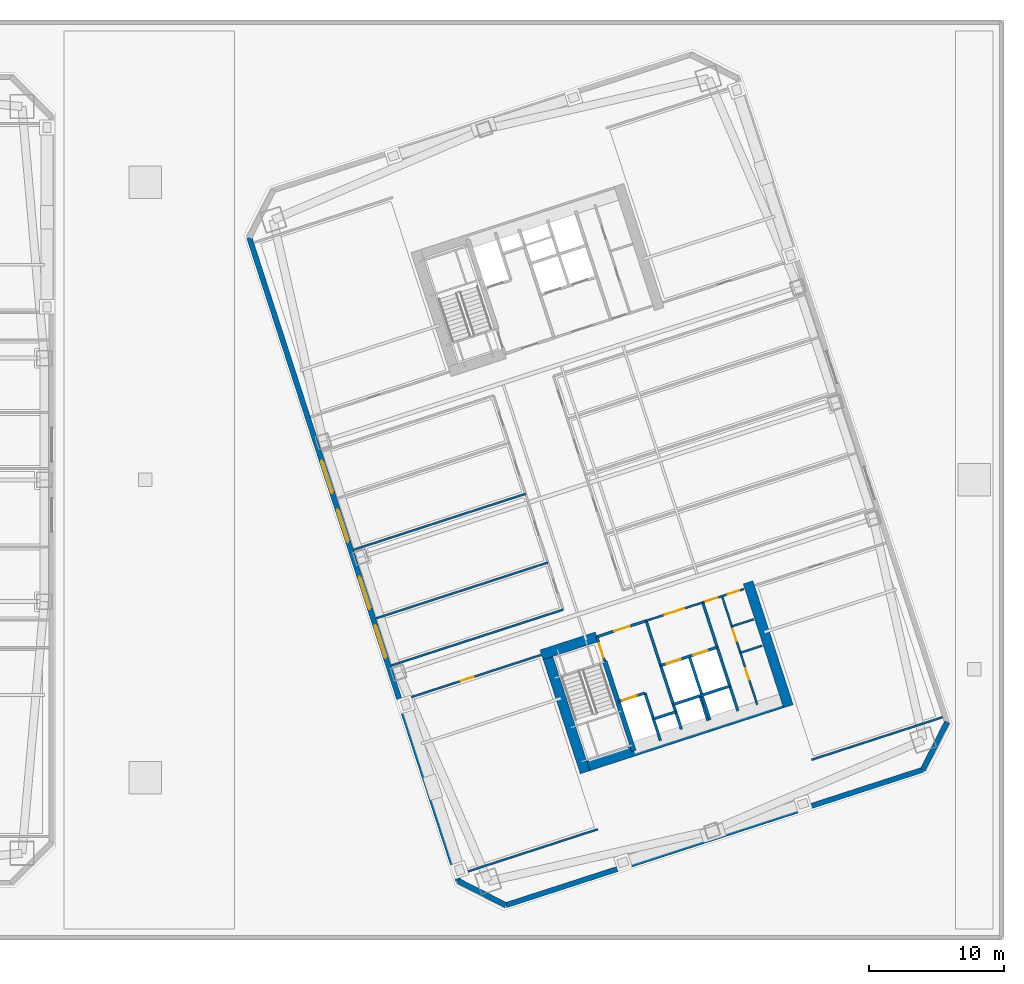
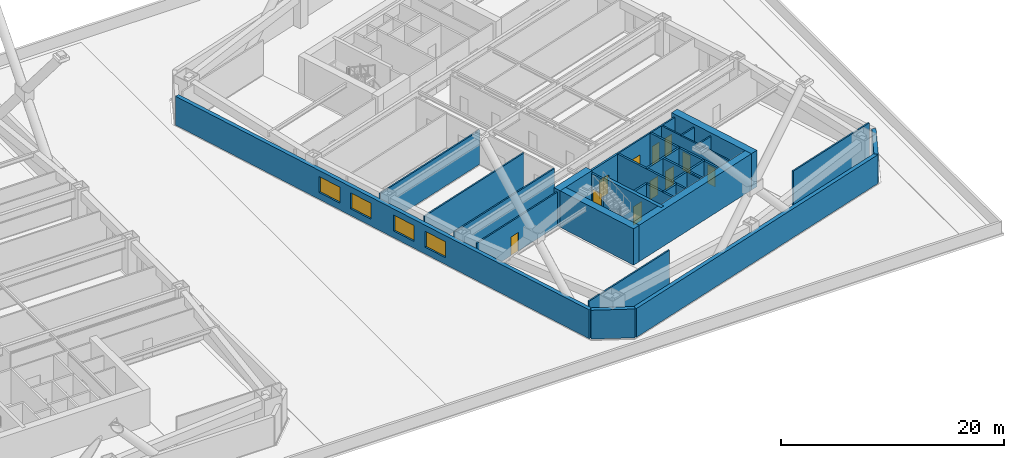
# One storey, part 9 of 20: 31 walls, 11 doors, 4 windows, 15 openings.
"""IFC4 building model written with IfcOpenShell, lengths in metres."""

from ifc_helpers import new_model, si_unit, direction, frame, frame_2d, origin, place, context, subcontext, project, spatial, rectangle, extrude, material, layer, layer_set, type_object, element, fill, save


model = new_model("IFC4")

# Units and contexts
model_context = context("Model", 3, precision=1e-05, world=origin(), true_north=direction((0.0, 1.0)))
body_context = subcontext(model_context, "Body", "Model", "MODEL_VIEW")
ifc_project = project(units=[si_unit("LENGTHUNIT", "METRE"), si_unit("AREAUNIT", "SQUARE_METRE"), si_unit("VOLUMEUNIT", "CUBIC_METRE"), si_unit("PLANEANGLEUNIT", "RADIAN"), si_unit("MASSUNIT", "GRAM", prefix="KILO")], contexts=[model_context])

# Site, building, storey
site_placement = place(None, origin())
site = spatial("IfcSite", under=ifc_project, at=site_placement, CompositionType="ELEMENT")
building_placement = place(site_placement, origin())
building = spatial("IfcBuilding", under=site, at=building_placement, Name="Qiaolan Cultural Towers", CompositionType="ELEMENT")
storey_placement = place(building_placement, frame((0.0, 0.0, 26.0)))
storey = spatial("IfcBuildingStorey", under=building, at=storey_placement, Name="L05", CompositionType="ELEMENT", Elevation=26.0)

# Walls
ifc_material_1 = material(Name="Concrete C50", Category="concrete")
ifc_layer_1 = layer(ifc_material_1, 0.35009765625)
ifc_layer_set_1 = layer_set([ifc_layer_1], Name="Concrete C50")
wall_type_1 = type_object("IfcWallType", Name="WL-CORE-350", PredefinedType="SHEAR", material=ifc_layer_set_1)
wall_1_placement = place(storey_placement, frame((90.486328125, 20.59423828125, 0.0), z_axis=(0.0, 0.0, 1.0), x_axis=(0.309020428229, -0.951055400562, 0.0)))
element("IfcWall", 1, at=wall_1_placement, inside=storey, type_object=wall_type_1, Name="L05 T2-CS Stair Core Dividing Web", PredefinedType="SHEAR", context=body_context, shape_type="SweptSolid", body=[
    extrude(rectangle(XDim=6.97998046875, YDim=0.35009765625, at=frame_2d((3.489990234375, 0.0))), origin(), (0.0, 0.0, 1.0), 4.0),
])
ifc_material_2 = material(Name="Concrete C60", Category="concrete")
ifc_layer_2 = layer(ifc_material_2, 0.75)
ifc_layer_set_2 = layer_set([ifc_layer_2], Name="Concrete C60")
wall_type_2 = type_object("IfcWallType", Name="WL-CORE-750", PredefinedType="SHEAR", material=ifc_layer_set_2)
wall_2_placement = place(storey_placement, frame((88.55859375, 12.628662109375, 0.0), z_axis=(0.0, 0.0, 1.0), x_axis=(0.951056072937, 0.309018358888, 0.0)))
element("IfcWall", 2, at=wall_2_placement, inside=storey, type_object=wall_type_2, Name="L05 T2-CS Outer Core Shear Wall", PredefinedType="SHEAR", context=body_context, shape_type="SweptSolid", body=[
    extrude(rectangle(XDim=16.550048828125, YDim=0.75, at=frame_2d((8.27490234375, 0.0))), origin(), (0.0, 0.0, 1.0), 4.0),
])
wall_3_placement = place(storey_placement, frame((86.05517578125, 21.54638671875, 0.0), z_axis=(0.0, 0.0, 1.0), x_axis=(0.309023585745, -0.951054374604, 0.0)))
element("IfcWall", 3, at=wall_3_placement, inside=storey, type_object=wall_type_2, Name="L05 T2-CS West Core Shear Wall", PredefinedType="SHEAR", context=body_context, shape_type="SweptSolid", body=[
    extrude(rectangle(XDim=9.6298828125, YDim=0.75, at=frame_2d((4.81494140625, 0.0))), origin(), (0.0, 0.0, 1.0), 4.0),
])
wall_4_placement = place(storey_placement, frame((101.08203125, 26.428955078125, 0.0), z_axis=(0.0, 0.0, 1.0), x_axis=(0.309016134813, -0.951056795583, 0.0)))
element("IfcWall", 4, at=wall_4_placement, inside=storey, type_object=wall_type_2, Name="L05 T2-CS East Core Shear Wall", PredefinedType="SHEAR", context=body_context, shape_type="SweptSolid", body=[
    extrude(rectangle(XDim=9.630126953125, YDim=0.75, at=frame_2d((4.81494140625, 0.0))), origin(), (0.0, 0.0, 1.0), 4.0),
])
wall_5_placement = place(storey_placement, frame((85.814453125, 21.073974609375, 0.0), z_axis=(0.0, 0.0, 1.0), x_axis=(0.95106580992, 0.308988390074, 0.0)))
element("IfcWall", 5, at=wall_5_placement, inside=storey, type_object=wall_type_2, Name="L05 T2-CS Stair Front Shear Wall", PredefinedType="SHEAR", context=body_context, shape_type="SweptSolid", body=[
    extrude(rectangle(XDim=4.295166015625, YDim=0.75, at=frame_2d((2.1474609375, 0.0))), origin(), (0.0, 0.0, 1.0), 4.0),
])

# Wall, openings, windows
ifc_material_3 = material(Name="Precast Concrete C50 Honed Stone Pier", Category="masonry")
ifc_layer_3 = layer(ifc_material_3, 0.39990234375)
ifc_layer_set_3 = layer_set([ifc_layer_3], Name="Precast Concrete C50 Honed Stone Pier")
wall_type_3 = type_object("IfcWallType", Name="WL-EXT-PIER-400", PredefinedType="SOLIDWALL", material=ifc_layer_set_3)
wall_6_placement = place(storey_placement, frame((79.6552734375, 4.352294921875, 0.0), z_axis=(0.0, 0.0, 1.0), x_axis=(-0.309014526607, 0.951057318118, 0.0)))
wall_6 = element("IfcWall", 6, at=wall_6_placement, inside=storey, type_object=wall_type_3, Name="L05 East Tower Precast Pier Facade Wall F1", PredefinedType="SOLIDWALL", context=body_context, shape_type="SweptSolid", body=[
    extrude(rectangle(XDim=49.999755859375, YDim=0.39990234375, at=frame_2d((25.0, 0.0))), origin(), (0.0, 0.0, 1.0), 3.159912109375),
])
opening_1_placement = place(wall_6_placement, frame((17.35009765625, 0.0, 0.75)))
opening_1 = element("IfcOpeningElement", 7, at=opening_1_placement, cuts=wall_6, Name="Opening W-01", PredefinedType="OPENING", context=body_context, shape_type="SweptSolid", body=[
    extrude(rectangle(XDim=2.5, YDim=1.75, at=frame_2d((1.25, 0.875))), frame((0.0, 0.2099609375, 0.0), z_axis=(0.0, -1.0, 0.0), x_axis=(1.0, 0.0, 0.0)), (0.0, 0.0, 1.0), 0.419921875),
])
opening_2_placement = place(wall_6_placement, frame((21.14990234375, 0.0, 0.75)))
opening_2 = element("IfcOpeningElement", 8, at=opening_2_placement, cuts=wall_6, Name="Opening W-01", PredefinedType="OPENING", context=body_context, shape_type="SweptSolid", body=[
    extrude(rectangle(XDim=2.5, YDim=1.75, at=frame_2d((1.25, 0.875))), frame((0.0, 0.2099609375, 0.0), z_axis=(0.0, -1.0, 0.0), x_axis=(1.0, 0.0, 0.0)), (0.0, 0.0, 1.0), 0.419921875),
])
opening_3_placement = place(wall_6_placement, frame((26.35009765625, 0.0, 0.75)))
opening_3 = element("IfcOpeningElement", 9, at=opening_3_placement, cuts=wall_6, Name="Opening W-01", PredefinedType="OPENING", context=body_context, shape_type="SweptSolid", body=[
    extrude(rectangle(XDim=2.5, YDim=1.75, at=frame_2d((1.25, 0.875))), frame((0.0, 0.2099609375, 0.0), z_axis=(0.0, -1.0, 0.0), x_axis=(1.0, 0.0, 0.0)), (0.0, 0.0, 1.0), 0.419921875),
])
opening_4_placement = place(wall_6_placement, frame((30.14990234375, 0.0, 0.75)))
opening_4 = element("IfcOpeningElement", 10, at=opening_4_placement, cuts=wall_6, Name="Opening W-01", PredefinedType="OPENING", context=body_context, shape_type="SweptSolid", body=[
    extrude(rectangle(XDim=2.5, YDim=1.75, at=frame_2d((1.25, 0.875))), frame((0.0, 0.2099609375, 0.0), z_axis=(0.0, -1.0, 0.0), x_axis=(1.0, 0.0, 0.0)), (0.0, 0.0, 1.0), 0.419921875),
])
ifc_material_4 = material(Name="Thermally Broken Aluminium Triple Low-E Glazing", Category="aluminium")
window_type = type_object("IfcWindowType", Name="WN-CHIC-2500", PartitioningType="SINGLE_PANEL", PredefinedType="WINDOW", material=ifc_material_4)
window_1_placement = place(opening_1_placement, origin())
window_1 = element("IfcWindow", 11, at=window_1_placement, inside=storey, type_object=window_type, Name="L05 T2 W Chicago Bay Window 1", OverallHeight=1.75, OverallWidth=2.5, PartitioningType="TRIPLE_PANEL_VERTICAL", PredefinedType="WINDOW", context=body_context, shape_type="SweptSolid", body=[
    extrude(rectangle(XDim=2.5, YDim=1.75, at=frame_2d((1.25, 0.875))), frame((0.0, 0.030029296875, 0.0), z_axis=(0.0, -1.0, 0.0), x_axis=(1.0, 0.0, 0.0)), (0.0, 0.0, 1.0), 0.06005859375),
])
fill(opening_1, window_1)
window_2_placement = place(opening_2_placement, origin())
window_2 = element("IfcWindow", 12, at=window_2_placement, inside=storey, type_object=window_type, Name="L05 T2 W Chicago Bay Window 2", OverallHeight=1.75, OverallWidth=2.5, PartitioningType="TRIPLE_PANEL_VERTICAL", PredefinedType="WINDOW", context=body_context, shape_type="SweptSolid", body=[
    extrude(rectangle(XDim=2.5, YDim=1.75, at=frame_2d((1.25, 0.875))), frame((0.0, 0.030029296875, 0.0), z_axis=(0.0, -1.0, 0.0), x_axis=(1.0, 0.0, 0.0)), (0.0, 0.0, 1.0), 0.06005859375),
])
fill(opening_2, window_2)
window_3_placement = place(opening_3_placement, origin())
window_3 = element("IfcWindow", 13, at=window_3_placement, inside=storey, type_object=window_type, Name="L05 T2 W Chicago Bay Window 3", OverallHeight=1.75, OverallWidth=2.5, PartitioningType="TRIPLE_PANEL_VERTICAL", PredefinedType="WINDOW", context=body_context, shape_type="SweptSolid", body=[
    extrude(rectangle(XDim=2.5, YDim=1.75, at=frame_2d((1.25, 0.875))), frame((0.0, 0.030029296875, 0.0), z_axis=(0.0, -1.0, 0.0), x_axis=(1.0, 0.0, 0.0)), (0.0, 0.0, 1.0), 0.06005859375),
])
fill(opening_3, window_3)
window_4_placement = place(opening_4_placement, origin())
window_4 = element("IfcWindow", 14, at=window_4_placement, inside=storey, type_object=window_type, Name="L05 T2 W Chicago Bay Window 4", OverallHeight=1.75, OverallWidth=2.5, PartitioningType="TRIPLE_PANEL_VERTICAL", PredefinedType="WINDOW", context=body_context, shape_type="SweptSolid", body=[
    extrude(rectangle(XDim=2.5, YDim=1.75, at=frame_2d((1.25, 0.875))), frame((0.0, 0.030029296875, 0.0), z_axis=(0.0, -1.0, 0.0), x_axis=(1.0, 0.0, 0.0)), (0.0, 0.0, 1.0), 0.06005859375),
])
fill(opening_4, window_4)

# Walls
wall_7_placement = place(storey_placement, frame((115.79541015625, 16.094970703125, 0.0), z_axis=(0.0, 0.0, 1.0), x_axis=(-0.453958106755, -0.891023028497, 0.0)))
element("IfcWall", 15, at=wall_7_placement, inside=storey, type_object=wall_type_3, Name="L05 East Tower Precast Pier Facade Wall F6", PredefinedType="SOLIDWALL", context=body_context, shape_type="SweptSolid", body=[
    extrude(rectangle(XDim=3.9599609375, YDim=0.39990234375, at=frame_2d((1.97998046875, 0.0))), origin(), (0.0, 0.0, 1.0), 3.159912109375),
])
wall_8_placement = place(storey_placement, frame((113.997802734375, 12.566650390625, 0.0), z_axis=(0.0, 0.0, 1.0), x_axis=(-0.951055939317, -0.309018770125, 0.0)))
element("IfcWall", 16, at=wall_8_placement, inside=storey, type_object=wall_type_3, Name="L05 East Tower Precast Pier Facade Wall F7", PredefinedType="SOLIDWALL", context=body_context, shape_type="SweptSolid", body=[
    extrude(rectangle(XDim=32.39990234375, YDim=0.39990234375, at=frame_2d((16.199951171875, 0.0))), origin(), (0.0, 0.0, 1.0), 3.159912109375),
])
wall_9_placement = place(storey_placement, frame((83.18359375, 2.554443359375, 0.0), z_axis=(0.0, 0.0, 1.0), x_axis=(-0.890998089617, 0.454007053137, 0.0)))
element("IfcWall", 17, at=wall_9_placement, inside=storey, type_object=wall_type_3, Name="L05 East Tower Precast Pier Facade Wall F8", PredefinedType="SOLIDWALL", context=body_context, shape_type="SweptSolid", body=[
    extrude(rectangle(XDim=3.9599609375, YDim=0.39990234375, at=frame_2d((1.97998046875, 0.0))), origin(), (0.0, 0.0, 1.0), 3.159912109375),
])

# Wall, opening, door
ifc_material_5 = material(Name="Concrete C35 Fire Wall", Category="concrete")
ifc_layer_4 = layer(ifc_material_5, 0.199951171875)
ifc_layer_set_4 = layer_set([ifc_layer_4], Name="Concrete C35 Fire Wall")
wall_type_4 = type_object("IfcWallType", Name="WL-FIRE-200", PredefinedType="PARTITIONING", material=ifc_layer_set_4)
wall_10_placement = place(storey_placement, frame((89.8994140625, 22.401123046875, 0.0), z_axis=(0.0, 0.0, 1.0), x_axis=(0.308932062672, -0.951084108086, 0.0)))
wall_10 = element("IfcWall", 18, at=wall_10_placement, inside=storey, type_object=wall_type_4, Name="L05 T2-CS Smokeproof Stair Entry Wall", PredefinedType="PARTITIONING", context=body_context, shape_type="SweptSolid", body=[
    extrude(rectangle(XDim=1.89990234375, YDim=0.199951171875, at=frame_2d((0.949951171875, 0.0))), origin(), (0.0, 0.0, 1.0), 3.72509765625),
])
opening_5_placement = place(wall_10_placement, frame((0.52001953125, 0.0, 0.0)))
opening_5 = element("IfcOpeningElement", 19, at=opening_5_placement, cuts=wall_10, Name="Opening FD-04", PredefinedType="OPENING", context=body_context, shape_type="SweptSolid", body=[
    extrude(rectangle(XDim=1.10009765625, YDim=2.050048828125, at=frame_2d((0.550048828125, 1.02490234375))), frame((0.0, 0.10986328125, 0.0), z_axis=(0.0, -1.0, 0.0), x_axis=(1.0, 0.0, 0.0)), (0.0, 0.0, 1.0), 0.219970703125),
])
ifc_material_6 = material(Name="Galvanized Steel Command Fire Door", Category="steel")
door_type_1 = type_object("IfcDoorType", Name="DR-FD90-1100", OperationType="NOTDEFINED", PredefinedType="DOOR", material=ifc_material_6)
door_1_placement = place(opening_5_placement, origin())
door_1 = element("IfcDoor", 20, at=door_1_placement, inside=storey, type_object=door_type_1, Name="L05 ST-E1 Smokeproof Stair Fire Door", OperationType="SINGLE_SWING_LEFT", OverallHeight=2.050048828125, OverallWidth=1.10009765625, PredefinedType="DOOR", context=body_context, shape_type="SweptSolid", body=[
    extrude(rectangle(XDim=1.10009765625, YDim=2.050048828125, at=frame_2d((0.550048828125, 1.02490234375))), frame((0.0, 0.02490234375, 0.0), z_axis=(0.0, -1.0, 0.0), x_axis=(1.0, 0.0, 0.0)), (0.0, 0.0, 1.0), 0.050048828125),
])
fill(opening_5, door_1)

# Wall
wall_11_placement = place(storey_placement, frame((93.541748046875, 23.584716796875, 0.0), z_axis=(0.0, 0.0, 1.0), x_axis=(0.309042196757, -0.951048327176, 0.0)))
element("IfcWall", 21, at=wall_11_placement, inside=storey, type_object=wall_type_4, Name="L05 T2-CS Firefighting Zone Wall", PredefinedType="PARTITIONING", context=body_context, shape_type="SweptSolid", body=[
    extrude(rectangle(XDim=8.429931640625, YDim=0.199951171875, at=frame_2d((4.21484375, 0.0))), origin(), (0.0, 0.0, 1.0), 3.72509765625),
])

# Wall, opening, door
wall_12_placement = place(storey_placement, frame((89.8994140625, 22.401123046875, 0.0), z_axis=(0.0, 0.0, 1.0), x_axis=(0.951046716504, 0.309047153403, 0.0)))
wall_12 = element("IfcWall", 22, at=wall_12_placement, inside=storey, type_object=wall_type_4, Name="L05 T2-CS Firefighting Lobby Front Wall", PredefinedType="PARTITIONING", context=body_context, shape_type="SweptSolid", body=[
    extrude(rectangle(XDim=3.829833984375, YDim=0.199951171875, at=frame_2d((1.9150390625, 0.0))), origin(), (0.0, 0.0, 1.0), 3.72509765625),
])
opening_6_placement = place(wall_12_placement, frame((1.35009765625, 0.0, 0.0)))
opening_6 = element("IfcOpeningElement", 23, at=opening_6_placement, cuts=wall_12, Name="Opening FD-03", PredefinedType="OPENING", context=body_context, shape_type="SweptSolid", body=[
    extrude(rectangle(XDim=1.199951171875, YDim=2.050048828125, at=frame_2d((0.60009765625, 1.02490234375))), frame((0.0, 0.10986328125, 0.0), z_axis=(0.0, -1.0, 0.0), x_axis=(1.0, 0.0, 0.0)), (0.0, 0.0, 1.0), 0.219970703125),
])
ifc_material_7 = material(Name="Galvanized Steel Smokeproof Lobby Fire Door", Category="steel")
door_type_2 = type_object("IfcDoorType", Name="DR-FD90-1200", OperationType="NOTDEFINED", PredefinedType="DOOR", material=ifc_material_7)
door_2_placement = place(opening_6_placement, origin())
door_2 = element("IfcDoor", 24, at=door_2_placement, inside=storey, type_object=door_type_2, Name="L05 FFL-E1 Firefighting Lobby Fire Door", OperationType="SINGLE_SWING_LEFT", OverallHeight=2.050048828125, OverallWidth=1.199951171875, PredefinedType="DOOR", context=body_context, shape_type="SweptSolid", body=[
    extrude(rectangle(XDim=1.199951171875, YDim=2.050048828125, at=frame_2d((0.60009765625, 1.02490234375))), frame((0.0, 0.02490234375, 0.0), z_axis=(0.0, -1.0, 0.0), x_axis=(1.0, 0.0, 0.0)), (0.0, 0.0, 1.0), 0.050048828125),
])
fill(opening_6, door_2)

wall_13_placement = place(storey_placement, frame((91.459716796875, 17.598388671875, 0.0), z_axis=(0.0, 0.0, 1.0), x_axis=(0.951062257173, 0.308999325213, 0.0)))
wall_13 = element("IfcWall", 25, at=wall_13_placement, inside=storey, type_object=wall_type_4, Name="L05 T2-CS Firefighting Shaft Front Wall", PredefinedType="PARTITIONING", context=body_context, shape_type="SweptSolid", body=[
    extrude(rectangle(XDim=2.10009765625, YDim=0.199951171875, at=frame_2d((1.050048828125, 0.0))), origin(), (0.0, 0.0, 1.0), 3.72509765625),
])
opening_7_placement = place(wall_13_placement, frame((0.35009765625, 0.0, 0.0)))
opening_7 = element("IfcOpeningElement", 26, at=opening_7_placement, cuts=wall_13, Name="Opening LD-01", PredefinedType="OPENING", context=body_context, shape_type="SweptSolid", body=[
    extrude(rectangle(XDim=1.10009765625, YDim=2.050048828125, at=frame_2d((0.550048828125, 1.02490234375))), frame((0.0, 0.10986328125, 0.0), z_axis=(0.0, -1.0, 0.0), x_axis=(1.0, 0.0, 0.0)), (0.0, 0.0, 1.0), 0.219970703125),
])
ifc_material_8 = material(Name="Brushed Stainless Steel S30408 Centre-Parting Lift Landing Door", Category="steel")
door_type_3 = type_object("IfcDoorType", Name="DR-LIFT-1100", OperationType="NOTDEFINED", PredefinedType="DOOR", material=ifc_material_8)
door_3_placement = place(opening_7_placement, origin())
door_3 = element("IfcDoor", 27, at=door_3_placement, inside=storey, type_object=door_type_3, Name="L05 FFL-E1 Firefighting Lift Landing Door", OperationType="DOUBLE_DOOR_SLIDING", OverallHeight=2.050048828125, OverallWidth=1.10009765625, PredefinedType="DOOR", context=body_context, shape_type="SweptSolid", body=[
    extrude(rectangle(XDim=1.10009765625, YDim=2.050048828125, at=frame_2d((0.550048828125, 1.02490234375))), frame((0.0, 0.02490234375, 0.0), z_axis=(0.0, -1.0, 0.0), x_axis=(1.0, 0.0, 0.0)), (0.0, 0.0, 1.0), 0.050048828125),
])
fill(opening_7, door_3)

# Walls
wall_14_placement = place(storey_placement, frame((93.45703125, 18.247314453125, 0.0), z_axis=(0.0, 0.0, 1.0), x_axis=(0.3089935693, -0.951064127245, 0.0)))
element("IfcWall", 28, at=wall_14_placement, inside=storey, type_object=wall_type_4, Name="L05 T2-CS Firefighting Hoistway East Wall", PredefinedType="PARTITIONING", context=body_context, shape_type="SweptSolid", body=[
    extrude(rectangle(XDim=3.7001953125, YDim=0.199951171875, at=frame_2d((1.85009765625, 0.0))), origin(), (0.0, 0.0, 1.0), 3.72509765625),
])
wall_15_placement = place(storey_placement, frame((94.08447265625, 16.316650390625, 0.0), z_axis=(0.0, 0.0, 1.0), x_axis=(0.951041328149, 0.309063734775, 0.0)))
element("IfcWall", 29, at=wall_15_placement, inside=storey, type_object=wall_type_4, Name="L05 T2-CS Pressurization Shaft Front Wall", PredefinedType="PARTITIONING", context=body_context, shape_type="SweptSolid", body=[
    extrude(rectangle(XDim=1.72998046875, YDim=0.199951171875, at=frame_2d((0.864990234375, 0.0))), origin(), (0.0, 0.0, 1.0), 3.72509765625),
])
wall_16_placement = place(storey_placement, frame((97.7265625, 24.9443359375, 0.0), z_axis=(0.0, 0.0, 1.0), x_axis=(0.309016001439, -0.951056838919, 0.0)))
element("IfcWall", 30, at=wall_16_placement, inside=storey, type_object=wall_type_4, Name="L05 T2-CS Lift Core East Wall", PredefinedType="PARTITIONING", context=body_context, shape_type="SweptSolid", body=[
    extrude(rectangle(XDim=8.429931640625, YDim=0.199951171875, at=frame_2d((4.21484375, 0.0))), origin(), (0.0, 0.0, 1.0), 3.72509765625),
])

# Wall, openings, doors
wall_17_placement = place(storey_placement, frame((94.6171875, 20.275146484375, 0.0), z_axis=(0.0, 0.0, 1.0), x_axis=(0.951058531764, 0.30901079133, 0.0)))
wall_17 = element("IfcWall", 31, at=wall_17_placement, inside=storey, type_object=wall_type_4, Name="L05 T2-CS Passenger Lift Shaft Front Wall", PredefinedType="PARTITIONING", context=body_context, shape_type="SweptSolid", body=[
    extrude(rectangle(XDim=4.39990234375, YDim=0.199951171875, at=frame_2d((2.199951171875, 0.0))), origin(), (0.0, 0.0, 1.0), 3.72509765625),
])
opening_8_placement = place(wall_17_placement, frame((0.449951171875, 0.0, 0.0)))
opening_8 = element("IfcOpeningElement", 32, at=opening_8_placement, cuts=wall_17, Name="Opening LD-01", PredefinedType="OPENING", context=body_context, shape_type="SweptSolid", body=[
    extrude(rectangle(XDim=1.10009765625, YDim=2.050048828125, at=frame_2d((0.550048828125, 1.02490234375))), frame((0.0, 0.10986328125, 0.0), z_axis=(0.0, -1.0, 0.0), x_axis=(1.0, 0.0, 0.0)), (0.0, 0.0, 1.0), 0.219970703125),
])
opening_9_placement = place(wall_17_placement, frame((2.550048828125, 0.0, 0.0)))
opening_9 = element("IfcOpeningElement", 33, at=opening_9_placement, cuts=wall_17, Name="Opening LD-01", PredefinedType="OPENING", context=body_context, shape_type="SweptSolid", body=[
    extrude(rectangle(XDim=1.10009765625, YDim=2.050048828125, at=frame_2d((0.550048828125, 1.02490234375))), frame((0.0, 0.10986328125, 0.0), z_axis=(0.0, -1.0, 0.0), x_axis=(1.0, 0.0, 0.0)), (0.0, 0.0, 1.0), 0.219970703125),
])
door_4_placement = place(opening_8_placement, origin())
door_4 = element("IfcDoor", 34, at=door_4_placement, inside=storey, type_object=door_type_3, Name="L05 Passenger Lift 1 Landing Door", OperationType="DOUBLE_DOOR_SLIDING", OverallHeight=2.050048828125, OverallWidth=1.10009765625, PredefinedType="DOOR", context=body_context, shape_type="SweptSolid", body=[
    extrude(rectangle(XDim=1.10009765625, YDim=2.050048828125, at=frame_2d((0.550048828125, 1.02490234375))), frame((0.0, 0.02490234375, 0.0), z_axis=(0.0, -1.0, 0.0), x_axis=(1.0, 0.0, 0.0)), (0.0, 0.0, 1.0), 0.050048828125),
])
fill(opening_8, door_4)
door_5_placement = place(opening_9_placement, origin())
door_5 = element("IfcDoor", 35, at=door_5_placement, inside=storey, type_object=door_type_3, Name="L05 Passenger Lift 2 Landing Door", OperationType="DOUBLE_DOOR_SLIDING", OverallHeight=2.050048828125, OverallWidth=1.10009765625, PredefinedType="DOOR", context=body_context, shape_type="SweptSolid", body=[
    extrude(rectangle(XDim=1.10009765625, YDim=2.050048828125, at=frame_2d((0.550048828125, 1.02490234375))), frame((0.0, 0.02490234375, 0.0), z_axis=(0.0, -1.0, 0.0), x_axis=(1.0, 0.0, 0.0)), (0.0, 0.0, 1.0), 0.050048828125),
])
fill(opening_9, door_5)

# Walls
wall_18_placement = place(storey_placement, frame((96.738037109375, 20.964111328125, 0.0), z_axis=(0.0, 0.0, 1.0), x_axis=(0.309042578481, -0.951048203135, 0.0)))
element("IfcWall", 36, at=wall_18_placement, inside=storey, type_object=wall_type_4, Name="L05 T2-CS Lift Shaft Divider Wall", PredefinedType="PARTITIONING", context=body_context, shape_type="SweptSolid", body=[
    extrude(rectangle(XDim=4.9501953125, YDim=0.199951171875, at=frame_2d((2.47509765625, 0.0))), origin(), (0.0, 0.0, 1.0), 3.72509765625),
])
wall_19_placement = place(storey_placement, frame((95.550537109375, 17.40283203125, 0.0), z_axis=(0.0, 0.0, 1.0), x_axis=(0.951058531764, 0.30901079133, 0.0)))
element("IfcWall", 37, at=wall_19_placement, inside=storey, type_object=wall_type_4, Name="L05 T2-CS Passenger Lift Shaft Back Wall", PredefinedType="PARTITIONING", context=body_context, shape_type="SweptSolid", body=[
    extrude(rectangle(XDim=4.39990234375, YDim=0.199951171875, at=frame_2d((2.199951171875, 0.0))), origin(), (0.0, 0.0, 1.0), 3.72509765625),
])

# Wall, opening, door
ifc_material_9 = material(Name="Autoclaved Aerated Concrete Block B06", Category="concrete")
ifc_layer_5 = layer(ifc_material_9, 0.14990234375)
ifc_layer_set_5 = layer_set([ifc_layer_5], Name="Autoclaved Aerated Concrete Block B06")
wall_type_5 = type_object("IfcWallType", Name="WL-PART-150", PredefinedType="PARTITIONING", material=ifc_layer_set_5)
wall_20_placement = place(storey_placement, frame((93.541748046875, 23.584716796875, 0.0), z_axis=(0.0, 0.0, 1.0), x_axis=(0.951063829732, 0.308994485023, 0.0)))
wall_20 = element("IfcWall", 38, at=wall_20_placement, inside=storey, type_object=wall_type_5, Name="L05 T2-CS Passenger Lift Lobby Front Wall", PredefinedType="PARTITIONING", context=body_context, shape_type="SweptSolid", body=[
    extrude(rectangle(XDim=4.400146484375, YDim=0.14990234375, at=frame_2d((2.2001953125, 0.0))), origin(), (0.0, 0.0, 1.0), 3.72509765625),
])
opening_10_placement = place(wall_20_placement, frame((1.449951171875, 0.0, 0.0)))
opening_10 = element("IfcOpeningElement", 39, at=opening_10_placement, cuts=wall_20, Name="Opening FD-05", PredefinedType="OPENING", context=body_context, shape_type="SweptSolid", body=[
    extrude(rectangle(XDim=1.5, YDim=2.050048828125, at=frame_2d((0.75, 1.02490234375))), frame((0.0, 0.0849609375, 0.0), z_axis=(0.0, -1.0, 0.0), x_axis=(1.0, 0.0, 0.0)), (0.0, 0.0, 1.0), 0.169921875),
])
ifc_material_10 = material(Name="Painted Steel Lift Lobby Fire Door", Category="steel")
door_type_4 = type_object("IfcDoorType", Name="DR-FD60-1500", OperationType="NOTDEFINED", PredefinedType="DOOR", material=ifc_material_10)
door_6_placement = place(opening_10_placement, origin())
door_6 = element("IfcDoor", 40, at=door_6_placement, inside=storey, type_object=door_type_4, Name="L05 Passenger Lift Lobby Entrance", OperationType="SINGLE_SWING_LEFT", OverallHeight=2.050048828125, OverallWidth=1.5, PredefinedType="DOOR", context=body_context, shape_type="SweptSolid", body=[
    extrude(rectangle(XDim=1.5, YDim=2.050048828125, at=frame_2d((0.75, 1.02490234375))), frame((0.0, 0.02490234375, 0.0), z_axis=(0.0, -1.0, 0.0), x_axis=(1.0, 0.0, 0.0)), (0.0, 0.0, 1.0), 0.050048828125),
])
fill(opening_10, door_6)

# Wall
wall_21_placement = place(storey_placement, frame((97.515625, 17.98876953125, 0.0), z_axis=(0.0, 0.0, 1.0), x_axis=(0.30897153969, -0.951071284217, 0.0)))
element("IfcWall", 41, at=wall_21_placement, inside=storey, type_object=wall_type_5, Name="L05 T2-CS Core Rear Split Wall", PredefinedType="PARTITIONING", context=body_context, shape_type="SweptSolid", body=[
    extrude(rectangle(XDim=1.8798828125, YDim=0.14990234375, at=frame_2d((0.93994140625, 0.0))), origin(), (0.0, 0.0, 1.0), 3.72509765625),
])

# Wall, openings, doors
wall_22_placement = place(storey_placement, frame((97.7265625, 24.9443359375, 0.0), z_axis=(0.0, 0.0, 1.0), x_axis=(0.951036872128, 0.309077446369, 0.0)))
wall_22 = element("IfcWall", 42, at=wall_22_placement, inside=storey, type_object=wall_type_5, Name="L05 T2-CS Sanitary Core Front Wall", PredefinedType="PARTITIONING", context=body_context, shape_type="SweptSolid", body=[
    extrude(rectangle(XDim=3.199951171875, YDim=0.14990234375, at=frame_2d((1.60009765625, 0.0))), origin(), (0.0, 0.0, 1.0), 3.72509765625),
])
opening_11_placement = place(wall_22_placement, frame((0.219970703125, 0.0, 0.0)))
opening_11 = element("IfcOpeningElement", 43, at=opening_11_placement, cuts=wall_22, Name="Opening ID-05", PredefinedType="OPENING", context=body_context, shape_type="SweptSolid", body=[
    extrude(rectangle(XDim=0.949951171875, YDim=2.050048828125, at=frame_2d((0.47509765625, 1.02490234375))), frame((0.0, 0.0849609375, 0.0), z_axis=(0.0, -1.0, 0.0), x_axis=(1.0, 0.0, 0.0)), (0.0, 0.0, 1.0), 0.169921875),
])
opening_12_placement = place(wall_22_placement, frame((1.949951171875, 0.0, 0.0)))
opening_12 = element("IfcOpeningElement", 44, at=opening_12_placement, cuts=wall_22, Name="Opening ID-06", PredefinedType="OPENING", context=body_context, shape_type="SweptSolid", body=[
    extrude(rectangle(XDim=0.89990234375, YDim=2.050048828125, at=frame_2d((0.449951171875, 1.02490234375))), frame((0.0, 0.0849609375, 0.0), z_axis=(0.0, -1.0, 0.0), x_axis=(1.0, 0.0, 0.0)), (0.0, 0.0, 1.0), 0.169921875),
])
ifc_material_11 = material(Name="Fire-Rated Laminate Core Service Door", Category="timber")
door_type_5 = type_object("IfcDoorType", Name="DR-INT-900", OperationType="NOTDEFINED", PredefinedType="DOOR", material=ifc_material_11)
door_7_placement = place(opening_12_placement, origin())
door_7 = element("IfcDoor", 45, at=door_7_placement, inside=storey, type_object=door_type_5, Name="L05 Core Tea Pantry Door", OperationType="SINGLE_SWING_RIGHT", OverallHeight=2.050048828125, OverallWidth=0.89990234375, PredefinedType="DOOR", context=body_context, shape_type="SweptSolid", body=[
    extrude(rectangle(XDim=0.89990234375, YDim=2.050048828125, at=frame_2d((0.449951171875, 1.02490234375))), frame((0.0, 0.02490234375, 0.0), z_axis=(0.0, -1.0, 0.0), x_axis=(1.0, 0.0, 0.0)), (0.0, 0.0, 1.0), 0.050048828125),
])
fill(opening_12, door_7)
ifc_material_12 = material(Name="Fire-Rated Laminate Accessible Core Door", Category="timber")
door_type_6 = type_object("IfcDoorType", Name="DR-INT-950", OperationType="NOTDEFINED", PredefinedType="DOOR", material=ifc_material_12)
door_8_placement = place(opening_11_placement, origin())
door_8 = element("IfcDoor", 46, at=door_8_placement, inside=storey, type_object=door_type_6, Name="L05 Sanitary Passage Door", OperationType="SINGLE_SWING_LEFT", OverallHeight=2.050048828125, OverallWidth=0.949951171875, PredefinedType="DOOR", context=body_context, shape_type="SweptSolid", body=[
    extrude(rectangle(XDim=0.949951171875, YDim=2.050048828125, at=frame_2d((0.47509765625, 1.02490234375))), frame((0.0, 0.02490234375, 0.0), z_axis=(0.0, -1.0, 0.0), x_axis=(1.0, 0.0, 0.0)), (0.0, 0.0, 1.0), 0.050048828125),
])
fill(opening_11, door_8)

wall_23_placement = place(storey_placement, frame((99.153076171875, 25.407958984375, 0.0), z_axis=(0.0, 0.0, 1.0), x_axis=(0.309016001439, -0.951056838919, 0.0)))
wall_23 = element("IfcWall", 47, at=wall_23_placement, inside=storey, type_object=wall_type_5, Name="L05 T2-CS Sanitary Corridor Wall", PredefinedType="PARTITIONING", context=body_context, shape_type="SweptSolid", body=[
    extrude(rectangle(XDim=8.429931640625, YDim=0.14990234375, at=frame_2d((4.21484375, 0.0))), origin(), (0.0, 0.0, 1.0), 3.72509765625),
])
opening_13_placement = place(wall_23_placement, frame((2.550048828125, 0.0, 0.0)))
opening_13 = element("IfcOpeningElement", 48, at=opening_13_placement, cuts=wall_23, Name="Opening ID-05", PredefinedType="OPENING", context=body_context, shape_type="SweptSolid", body=[
    extrude(rectangle(XDim=0.949951171875, YDim=2.050048828125, at=frame_2d((0.47509765625, 1.02490234375))), frame((0.0, 0.0849609375, 0.0), z_axis=(0.0, -1.0, 0.0), x_axis=(1.0, 0.0, 0.0)), (0.0, 0.0, 1.0), 0.169921875),
])
opening_14_placement = place(wall_23_placement, frame((5.60009765625, 0.0, 0.0)))
opening_14 = element("IfcOpeningElement", 49, at=opening_14_placement, cuts=wall_23, Name="Opening ID-06", PredefinedType="OPENING", context=body_context, shape_type="SweptSolid", body=[
    extrude(rectangle(XDim=0.89990234375, YDim=2.050048828125, at=frame_2d((0.449951171875, 1.02490234375))), frame((0.0, 0.0849609375, 0.0), z_axis=(0.0, -1.0, 0.0), x_axis=(1.0, 0.0, 0.0)), (0.0, 0.0, 1.0), 0.169921875),
])
door_9_placement = place(opening_14_placement, origin())
door_9 = element("IfcDoor", 50, at=door_9_placement, inside=storey, type_object=door_type_5, Name="L05 Staff Restroom Door", OperationType="SINGLE_SWING_RIGHT", OverallHeight=2.050048828125, OverallWidth=0.89990234375, PredefinedType="DOOR", context=body_context, shape_type="SweptSolid", body=[
    extrude(rectangle(XDim=0.89990234375, YDim=2.050048828125, at=frame_2d((0.449951171875, 1.02490234375))), frame((0.0, 0.02490234375, 0.0), z_axis=(0.0, -1.0, 0.0), x_axis=(1.0, 0.0, 0.0)), (0.0, 0.0, 1.0), 0.050048828125),
])
fill(opening_14, door_9)
door_10_placement = place(opening_13_placement, origin())
door_10 = element("IfcDoor", 51, at=door_10_placement, inside=storey, type_object=door_type_6, Name="L05 Accessible Washroom Door", OperationType="SINGLE_SWING_LEFT", OverallHeight=2.050048828125, OverallWidth=0.949951171875, PredefinedType="DOOR", context=body_context, shape_type="SweptSolid", body=[
    extrude(rectangle(XDim=0.949951171875, YDim=2.050048828125, at=frame_2d((0.47509765625, 1.02490234375))), frame((0.0, 0.02490234375, 0.0), z_axis=(0.0, -1.0, 0.0), x_axis=(1.0, 0.0, 0.0)), (0.0, 0.0, 1.0), 0.050048828125),
])
fill(opening_13, door_10)

# Walls
for number, where, z_axis, x_axis, name in (
    (52, (100.5126953125, 21.223388671875, 0.0), (0.0, 0.0, 1.0), (0.951096313471, 0.308894484414, 0.0), "L05 T2-CS Restroom Split Wall"),
    (53, (99.879150390625, 23.1728515625, 0.0), (0.0, 0.0, 1.0), (0.951054116971, 0.309024378638, 0.0), "L05 T2-CS Core Pantry Wall"),
):
    element("IfcWall", number, at=place(storey_placement, frame(where, z_axis=z_axis, x_axis=x_axis)), inside=storey, type_object=wall_type_5, Name=name, PredefinedType="PARTITIONING", context=body_context, shape_type="SweptSolid", body=[
        extrude(rectangle(XDim=1.7001953125, YDim=0.14990234375, at=frame_2d((0.85009765625, 0.0))), origin(), (0.0, 0.0, 1.0), 3.72509765625),
    ])
wall_24_placement = place(storey_placement, frame((79.70654296875, 4.842041015625, 0.0), z_axis=(0.0, 0.0, 1.0), x_axis=(0.951056658866, 0.309016555588, 0.0)))
element("IfcWall", 54, at=wall_24_placement, inside=storey, type_object=wall_type_5, Name="L05 T2 Flank Wall FLK-SW", PredefinedType="PARTITIONING", context=body_context, shape_type="SweptSolid", body=[
    extrude(rectangle(XDim=10.800048828125, YDim=0.14990234375, at=frame_2d((5.39990234375, 0.0))), origin(), (0.0, 0.0, 1.0), 3.72509765625),
])

# Wall, opening, door
wall_25_placement = place(storey_placement, frame((75.519287109375, 17.728759765625, 0.0), z_axis=(0.0, 0.0, 1.0), x_axis=(0.951056658866, 0.309016555588, 0.0)))
wall_25 = element("IfcWall", 55, at=wall_25_placement, inside=storey, type_object=wall_type_5, Name="L05 T2 Flank Front FLK-SW", PredefinedType="PARTITIONING", context=body_context, shape_type="SweptSolid", body=[
    extrude(rectangle(XDim=10.800048828125, YDim=0.14990234375, at=frame_2d((5.39990234375, 0.0))), origin(), (0.0, 0.0, 1.0), 3.72509765625),
])
opening_15_placement = place(wall_25_placement, frame((4.535888671875, 0.0, 0.0)))
opening_15 = element("IfcOpeningElement", 56, at=opening_15_placement, cuts=wall_25, Name="Opening ID-04", PredefinedType="OPENING", context=body_context, shape_type="SweptSolid", body=[
    extrude(rectangle(XDim=1.0, YDim=2.050048828125, at=frame_2d((0.5, 1.02490234375))), frame((0.0, 0.0849609375, 0.0), z_axis=(0.0, -1.0, 0.0), x_axis=(1.0, 0.0, 0.0)), (0.0, 0.0, 1.0), 0.169921875),
])
ifc_material_13 = material(Name="Oak Veneer Acoustic Office Door", Category="timber")
door_type_7 = type_object("IfcDoorType", Name="DR-INT-1000", OperationType="NOTDEFINED", PredefinedType="DOOR", material=ifc_material_13)
door_11_placement = place(opening_15_placement, origin())
door_11 = element("IfcDoor", 57, at=door_11_placement, inside=storey, type_object=door_type_7, Name="L05 T2 Corner Studio Door", OperationType="SINGLE_SWING_LEFT", OverallHeight=2.050048828125, OverallWidth=1.0, PredefinedType="DOOR", context=body_context, shape_type="SweptSolid", body=[
    extrude(rectangle(XDim=1.0, YDim=2.050048828125, at=frame_2d((0.5, 1.02490234375))), frame((0.0, 0.02490234375, 0.0), z_axis=(0.0, -1.0, 0.0), x_axis=(1.0, 0.0, 0.0)), (0.0, 0.0, 1.0), 0.050048828125),
])
fill(opening_15, door_11)

# Walls
wall_26_placement = place(storey_placement, frame((105.765380859375, 13.30908203125, 0.0), z_axis=(0.0, 0.0, 1.0), x_axis=(0.951054294345, 0.309023832749, 0.0)))
element("IfcWall", 58, at=wall_26_placement, inside=storey, type_object=wall_type_5, Name="L05 T2 Flank Wall FLK-SE", PredefinedType="PARTITIONING", context=body_context, shape_type="SweptSolid", body=[
    extrude(rectangle(XDim=10.2001953125, YDim=0.14990234375, at=frame_2d((5.10009765625, 0.0))), origin(), (0.0, 0.0, 1.0), 3.72509765625),
])
wall_27_placement = place(storey_placement, frame((74.691162109375, 20.277587890625, 0.0), z_axis=(0.0, 0.0, 1.0), x_axis=(0.951052712421, 0.309028701251, 0.0)))
element("IfcWall", 59, at=wall_27_placement, inside=storey, type_object=wall_type_5, Name="L05 T2 South Corridor Left Wall", PredefinedType="PARTITIONING", context=body_context, shape_type="SweptSolid", body=[
    extrude(rectangle(XDim=13.375244140625, YDim=0.14990234375, at=frame_2d((6.6875, 0.0))), origin(), (0.0, 0.0, 1.0), 3.72509765625),
])
for number, where, z_axis, x_axis, name in (
    (60, (73.559814453125, 23.75927734375, 0.0), (0.0, 0.0, 1.0), (0.951058077006, 0.309012190961, 0.0), "L05 T2 West Partition 1"),
    (61, (71.909912109375, 28.837158203125, 0.0), (0.0, 0.0, 1.0), (0.951058077006, 0.309012190961, 0.0), "L05 T2 West Partition 2"),
):
    element("IfcWall", number, at=place(storey_placement, frame(where, z_axis=z_axis, x_axis=x_axis)), inside=storey, type_object=wall_type_5, Name=name, PredefinedType="PARTITIONING", context=body_context, shape_type="SweptSolid", body=[
        extrude(rectangle(XDim=13.375, YDim=0.14990234375, at=frame_2d((6.6875, 0.0))), origin(), (0.0, 0.0, 1.0), 3.72509765625),
    ])

save(model, "model.ifc")
